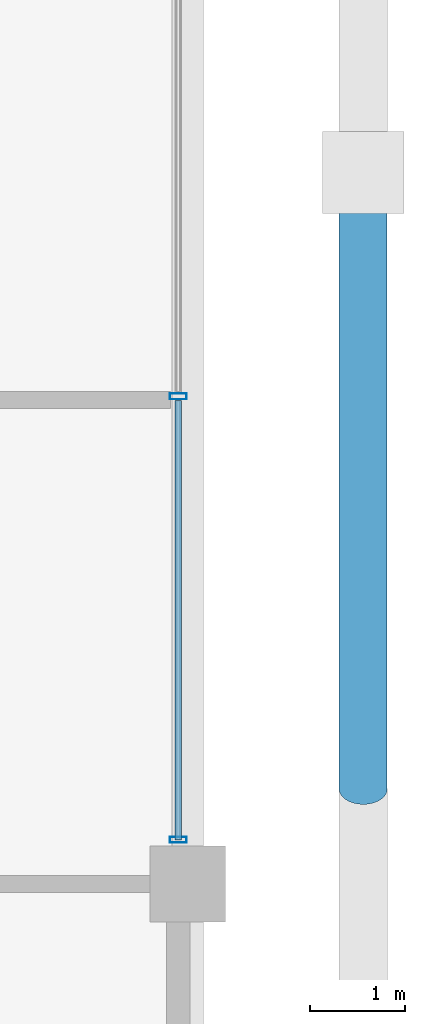
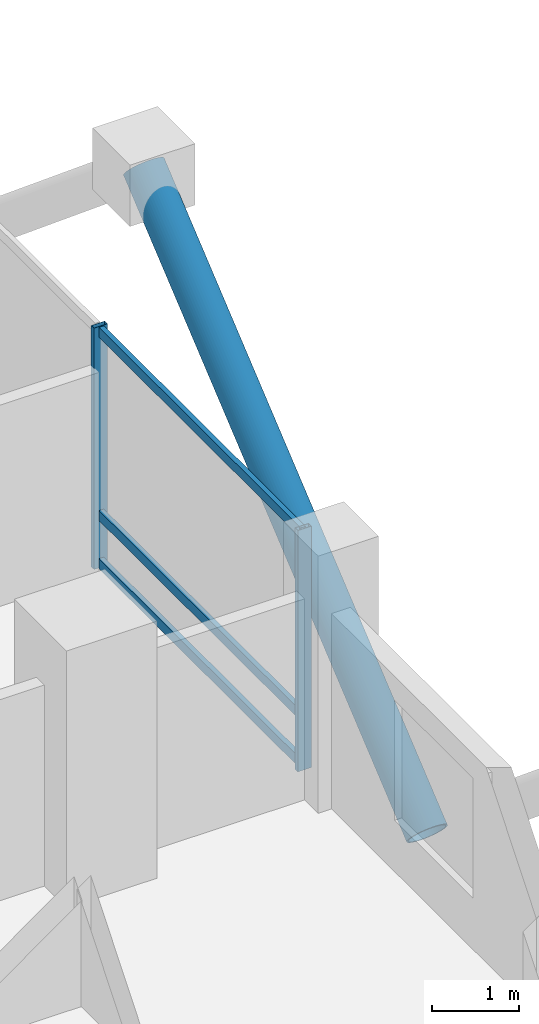
# One storey, part 8 of 23: 6 members, 1 element without a shape of its own.
"""IFC4 building model written with IfcOpenShell, lengths in metres."""

from ifc_helpers import new_model, si_unit, direction, frame, origin, origin_2d, place, context, subcontext, project, spatial, hollow_rectangle, hollow_circle, extrude, material, layer, layer_set, material_profile, profile_set, type_object, element, aggregate, save


model = new_model("IFC4")

# Units and contexts
model_context = context("Model", 3, precision=1e-05, world=origin(), true_north=direction((0.0, 1.0)))
body_context = subcontext(model_context, "Body", "Model", "MODEL_VIEW")
ifc_project = project(units=[si_unit("LENGTHUNIT", "METRE"), si_unit("AREAUNIT", "SQUARE_METRE"), si_unit("VOLUMEUNIT", "CUBIC_METRE"), si_unit("PLANEANGLEUNIT", "RADIAN"), si_unit("MASSUNIT", "GRAM", prefix="KILO")], contexts=[model_context])

# Site, building, storey
site_placement = place(None, origin())
site = spatial("IfcSite", under=ifc_project, at=site_placement, CompositionType="ELEMENT")
building_placement = place(site_placement, origin())
building = spatial("IfcBuilding", under=site, at=building_placement, Name="Barlavira Tower and Art Museum", CompositionType="ELEMENT")
storey_placement = place(building_placement, frame((0.0, 0.0, 140.39990234375)))
storey = spatial("IfcBuildingStorey", under=building, at=storey_placement, Name="L35", CompositionType="ELEMENT", Elevation=140.39990234375)

# Curtain wall, members
ifc_material_1 = material(Name="Low-iron coastal laminated glass", Category="glass")
ifc_layer = layer(ifc_material_1, 0.18994140625, Name="Low-iron coastal laminated glass")
ifc_layer_set = layer_set([ifc_layer], Name="Low-iron coastal laminated glass")
curtain_wall_type = type_object("IfcCurtainWallType", Name="Pale-Metal Unitised Curtain Wall Zone 2", PredefinedType="NOTDEFINED", material=ifc_layer_set)
curtain_wall_placement = place(storey_placement, origin())
curtain_wall = element("IfcCurtainWall", 1, at=curtain_wall_placement, inside=storey, type_object=curtain_wall_type, Name="L35 Curtain Wall CW2-L35-E-B3", PredefinedType="NOTDEFINED")
ifc_material_2 = material(Name="Pale anodised aluminium", Category="aluminium")
ifc_material_profile_1 = material_profile(ifc_material_2, hollow_rectangle(XDim=0.06494140625, YDim=0.179931640625, WallThickness=0.00390625, at=origin_2d()), Name="ALU-MULL 65x180x4")
ifc_profile_set_1 = profile_set([ifc_material_profile_1], Name="Pale anodised aluminium")
member_type_1 = type_object("IfcMemberType", Name="Curtain Wall Pale-Metal Mullion 65x180", PredefinedType="MULLION", material=ifc_profile_set_1)
member_1_placement = place(storey_placement, frame((20.14990234375, -7.034912109375, 0.0), z_axis=(0.0, 0.0, 1.0), x_axis=(0.0, 1.0, 0.0)))
member_1 = element("IfcMember", 2, at=member_1_placement, type_object=member_type_1, Name="CW2-L35-E-B3 Mullion 0", PredefinedType="MULLION", context=body_context, shape_type="SweptSolid", body=[
    extrude(hollow_rectangle(XDim=0.06494140625, YDim=0.179931640625, WallThickness=0.00390625, at=origin_2d()), origin(), (0.0, 0.0, 1.0), 3.380126953125),
])
member_2_placement = place(storey_placement, frame((20.14990234375, -2.360107421875, 0.0), z_axis=(0.0, 0.0, 1.0), x_axis=(0.0, 1.0, 0.0)))
member_2 = element("IfcMember", 3, at=member_2_placement, type_object=member_type_1, Name="CW2-L35-E-B3 Mullion 1", PredefinedType="MULLION", context=body_context, shape_type="SweptSolid", body=[
    extrude(hollow_rectangle(XDim=0.06494140625, YDim=0.179931640625, WallThickness=0.00390625, at=origin_2d()), origin(), (0.0, 0.0, 1.0), 3.380126953125),
])
ifc_material_profile_2 = material_profile(ifc_material_2, hollow_rectangle(XDim=0.06494140625, YDim=0.139892578125, WallThickness=0.00390625, at=origin_2d()), Name="ALU-TRAN 65x140x4")
ifc_profile_set_2 = profile_set([ifc_material_profile_2], Name="Pale anodised aluminium")
member_type_2 = type_object("IfcMemberType", Name="Curtain Wall Pale-Metal Transom 65x140", PredefinedType="USERDEFINED", material=ifc_profile_set_2)
member_3_placement = place(storey_placement, frame((20.14990234375, -7.034912109375, 0.070068359375), z_axis=(0.0, 1.0, 0.0), x_axis=(-1.0, 0.0, 0.0)))
member_3 = element("IfcMember", 4, at=member_3_placement, type_object=member_type_2, Name="CW2-L35-E-B3 Transom 0.1", ObjectType="TRANSOM", PredefinedType="USERDEFINED", context=body_context, shape_type="SweptSolid", body=[
    extrude(hollow_rectangle(XDim=0.06494140625, YDim=0.139892578125, WallThickness=0.00390625, at=origin_2d()), origin(), (0.0, 0.0, 1.0), 4.6298828125),
])
member_4_placement = place(storey_placement, frame((20.14990234375, -7.034912109375, 0.744140625), z_axis=(0.0, 1.0, 0.0), x_axis=(-1.0, 0.0, 0.0)))
member_4 = element("IfcMember", 5, at=member_4_placement, type_object=member_type_2, Name="CW2-L35-E-B3 Transom 0.2", ObjectType="TRANSOM", PredefinedType="USERDEFINED", context=body_context, shape_type="SweptSolid", body=[
    extrude(hollow_rectangle(XDim=0.06494140625, YDim=0.139892578125, WallThickness=0.00390625, at=origin_2d()), origin(), (0.0, 0.0, 1.0), 4.6298828125),
])
member_5_placement = place(storey_placement, frame((20.14990234375, -7.034912109375, 3.31005859375), z_axis=(0.0, 1.0, 0.0), x_axis=(-1.0, 0.0, 0.0)))
member_5 = element("IfcMember", 6, at=member_5_placement, type_object=member_type_2, Name="CW2-L35-E-B3 Transom 0.3", ObjectType="TRANSOM", PredefinedType="USERDEFINED", context=body_context, shape_type="SweptSolid", body=[
    extrude(hollow_rectangle(XDim=0.06494140625, YDim=0.139892578125, WallThickness=0.00390625, at=origin_2d()), origin(), (0.0, 0.0, 1.0), 4.6298828125),
])
aggregate(curtain_wall, [member_1, member_2, member_3, member_4, member_5])

# Member
ifc_material_3 = material(Name="Steel S355", Category="steel")
ifc_material_profile_3 = material_profile(ifc_material_3, hollow_circle(Radius=0.25390625, WallThickness=0.022216796875, at=origin_2d()), Name="CHS 508.0x22.2")
ifc_profile_set_3 = profile_set([ifc_material_profile_3], Name="Steel S355")
member_type_3 = type_object("IfcMemberType", Name="Pale-Metal Exoskeleton Diagrid Tube CHS 508x22 Steel S355", PredefinedType="BRACE", material=ifc_profile_set_3)
member_6_placement = place(storey_placement, frame((22.10009765625, -6.5, -1.919921875), z_axis=(0.0, 0.769196053329, 0.639012857104), x_axis=(-1.0, 0.0, 0.0)))
element("IfcMember", 7, at=member_6_placement, inside=storey, type_object=member_type_3, Name="L35 Exoskeleton Diagrid Tube E", PredefinedType="BRACE", context=body_context, shape_type="SweptSolid", body=[
    extrude(hollow_circle(Radius=0.25390625, WallThickness=0.022216796875, at=origin_2d()), origin(), (0.0, 0.0, 1.0), 8.450439453125),
])

save(model, "model.ifc")
